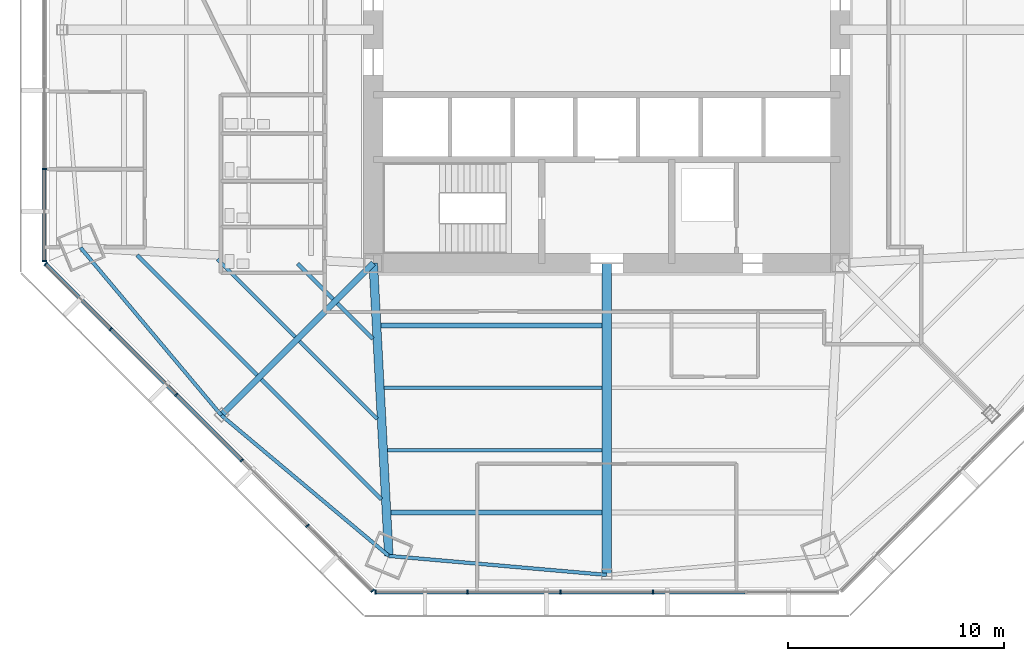
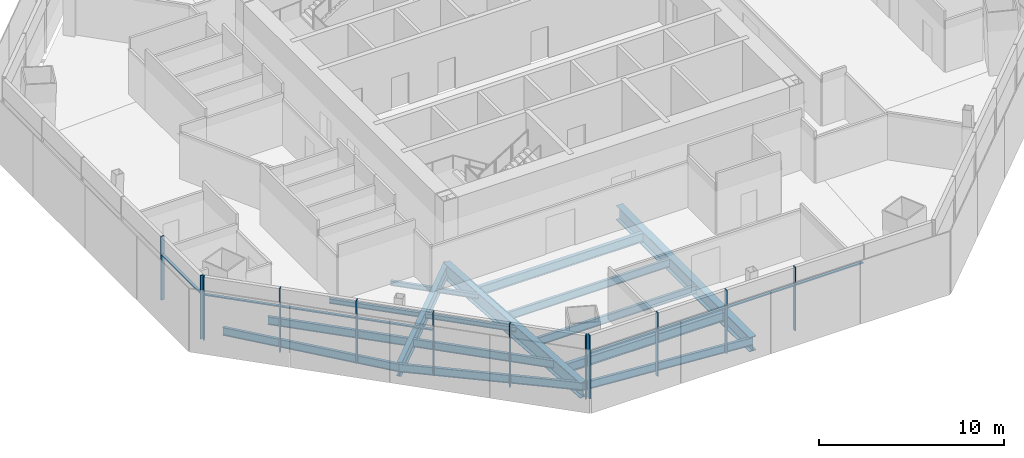
# One storey, part 2 of 15: 20 members, 16 beams, 3 elements without a shape of their own.
"""IFC4 building model written with IfcOpenShell, lengths in metres."""

from ifc_helpers import new_model, si_unit, direction, frame, origin, origin_2d, place, context, subcontext, project, spatial, rectangle, i_section, extrude, source, transform, mapped, material, material_profile, profile_set, type_object, type_shapes, element, aggregate, save


model = new_model("IFC4")

# Units and contexts
model_context = context("Model", 3, precision=1e-05, world=origin(), true_north=direction((0.0, 1.0)))
body_context = subcontext(model_context, "Body", "Model", "MODEL_VIEW")
ifc_project = project(units=[si_unit("LENGTHUNIT", "METRE"), si_unit("AREAUNIT", "SQUARE_METRE"), si_unit("VOLUMEUNIT", "CUBIC_METRE"), si_unit("PLANEANGLEUNIT", "RADIAN"), si_unit("MASSUNIT", "GRAM", prefix="KILO")], contexts=[model_context])

# Site, building, storey
site_placement = place(None, origin())
site = spatial("IfcSite", under=ifc_project, at=site_placement, CompositionType="ELEMENT")
building_placement = place(site_placement, origin())
building = spatial("IfcBuilding", under=site, at=building_placement, Name="Mashrafa Tower", CompositionType="ELEMENT")
storey_placement = place(building_placement, frame((0.0, 0.0, 70.800048828125)))
storey = spatial("IfcBuildingStorey", under=building, at=storey_placement, Name="L15", CompositionType="ELEMENT", Elevation=70.800048828125)

# Beams
ifc_material_1 = material(Name="Steel ASTM A992", Category="steel")
ifc_material_profile_1 = material_profile(ifc_material_1, i_section(OverallWidth=0.164794921875, OverallDepth=0.309814453125, WebThickness=0.005859375, FlangeThickness=0.009765625, FilletRadius=0.007568359375, at=origin_2d()), Name="W12X26")
ifc_profile_set_1 = profile_set([ifc_material_profile_1], Name="Steel ASTM A992")
beam_type_1 = type_object("IfcBeamType", Name="Beam W12X26", PredefinedType="BEAM", material=ifc_profile_set_1)
beam_1_placement = place(storey_placement, frame((-14.418701171875, -14.212158203125, -0.320068359375), z_axis=(-0.707082764653, 0.707130796904, 0.0), x_axis=(-0.707130796904, -0.707082764653, 0.0)))
element("IfcBeam", 1, at=beam_1_placement, inside=storey, type_object=beam_type_1, Name="Floor beam L15 012", PredefinedType="BEAM", context=body_context, shape_type="SweptSolid", body=[
    extrude(i_section(OverallWidth=0.164794921875, OverallDepth=0.309814453125, WebThickness=0.005859375, FlangeThickness=0.009765625, FilletRadius=0.007568359375, at=origin_2d()), origin(), (0.0, 0.0, 1.0), 5.082763671875),
])
for number, where, z_axis, x_axis, name in (
    (2, (-12.660888671875, -12.454345703125, -0.320068359375), (-0.707159434433, 0.707054124019, 0.0), (-0.707054124019, -0.707159434433, 0.0), "Floor beam L15 016"),
    (3, (-10.815185546875, -14.30029296875, -0.320068359375), (-0.707054124019, 0.707159434433, 0.0), (-0.707159434433, -0.707054124019, 0.0), "Floor beam L15 019"),
):
    element("IfcBeam", number, at=place(storey_placement, frame(where, z_axis=z_axis, x_axis=x_axis)), inside=storey, type_object=beam_type_1, Name=name, PredefinedType="BEAM", context=body_context, shape_type="SweptSolid", body=[
        extrude(i_section(OverallWidth=0.164794921875, OverallDepth=0.309814453125, WebThickness=0.005859375, FlangeThickness=0.009765625, FilletRadius=0.007568359375, at=origin_2d()), origin(), (0.0, 0.0, 1.0), 2.318359375),
    ])
beam_2_placement = place(storey_placement, frame((-10.617919921875, -18.0126953125, -0.320068359375), z_axis=(-0.707130796904, 0.707082764653, 0.0), x_axis=(-0.707082764653, -0.707130796904, 0.0)))
element("IfcBeam", 4, at=beam_2_placement, inside=storey, type_object=beam_type_1, Name="Floor beam L15 021", PredefinedType="BEAM", context=body_context, shape_type="SweptSolid", body=[
    extrude(i_section(OverallWidth=0.164794921875, OverallDepth=0.309814453125, WebThickness=0.005859375, FlangeThickness=0.009765625, FilletRadius=0.007568359375, at=origin_2d()), origin(), (0.0, 0.0, 1.0), 5.082763671875),
])
ifc_material_2 = material(Name="Steel ASTM A992", Category="steel")
ifc_material_profile_2 = material_profile(ifc_material_2, i_section(OverallWidth=0.165771484375, OverallDepth=0.5283203125, WebThickness=0.009765625, FlangeThickness=0.013671875, FilletRadius=0.012939453125, at=origin_2d()), Name="W21X50")
ifc_profile_set_2 = profile_set([ifc_material_profile_2], Name="Steel ASTM A992")
beam_type_2 = type_object("IfcBeamType", Name="Beam W21X50", PredefinedType="BEAM", material=ifc_profile_set_2)
for number, where, z_axis, x_axis, name in (
    (5, (-16.176513671875, -15.9697265625, -0.42919921875), (-0.707091224822, 0.707122337209, 0.0), (-0.707122337209, -0.707091224822, 0.0), "Floor beam L15 009"),
    (6, (-10.4208984375, -21.72509765625, -0.42919921875), (-0.707122337209, 0.707091224822, 0.0), (-0.707091224822, -0.707122337209, 0.0), "Floor beam L15 023"),
):
    element("IfcBeam", number, at=place(storey_placement, frame(where, z_axis=z_axis, x_axis=x_axis)), inside=storey, type_object=beam_type_2, Name=name, PredefinedType="BEAM", context=body_context, shape_type="SweptSolid", body=[
        extrude(i_section(OverallWidth=0.165771484375, OverallDepth=0.5283203125, WebThickness=0.009765625, FlangeThickness=0.013671875, FilletRadius=0.012939453125, at=origin_2d()), origin(), (0.0, 0.0, 1.0), 7.84716796875),
    ])
beam_3_placement = place(storey_placement, frame((-0.212158203125, -19.449951171875, -0.42919921875), z_axis=(-1.0, 0.0, 0.0), x_axis=(0.0, -1.0, 0.0)))
element("IfcBeam", 7, at=beam_3_placement, inside=storey, type_object=beam_type_2, Name="Floor beam L15 026", PredefinedType="BEAM", context=body_context, shape_type="SweptSolid", body=[
    extrude(i_section(OverallWidth=0.165771484375, OverallDepth=0.5283203125, WebThickness=0.009765625, FlangeThickness=0.013671875, FilletRadius=0.012939453125, at=origin_2d()), origin(), (0.0, 0.0, 1.0), 9.927734375),
])
beam_4_placement = place(storey_placement, frame((-0.212158203125, -16.566650390625, -0.42919921875), z_axis=(-1.0, 0.0, 0.0), x_axis=(0.0, -1.0, 0.0)))
element("IfcBeam", 8, at=beam_4_placement, inside=storey, type_object=beam_type_2, Name="Floor beam L15 027", PredefinedType="BEAM", context=body_context, shape_type="SweptSolid", body=[
    extrude(i_section(OverallWidth=0.165771484375, OverallDepth=0.5283203125, WebThickness=0.009765625, FlangeThickness=0.013671875, FilletRadius=0.012939453125, at=origin_2d()), origin(), (0.0, 0.0, 1.0), 10.080810546875),
])
for number, where, z_axis, x_axis, name in (
    (9, (-24.33837890625, -10.081298828125, -0.42919921875), (0.643074957552, -0.765803237764, 0.0), (0.765803237764, 0.643074957552, 0.0), "Spandrel beam L15 074"),
    (10, (-17.830810546875, -17.830810546875, -0.42919921875), (0.765803237764, -0.643074957552, 0.0), (0.643074957552, 0.765803237764, 0.0), "Spandrel beam L15 076"),
    (11, (-10.081298828125, -24.33837890625, -0.42919921875), (0.996227450141, -0.086780571481, 0.0), (0.086780571481, 0.996227450141, 0.0), "Spandrel beam L15 078"),
):
    element("IfcBeam", number, at=place(storey_placement, frame(where, z_axis=z_axis, x_axis=x_axis)), inside=storey, type_object=beam_type_2, Name=name, PredefinedType="BEAM", context=body_context, shape_type="SweptSolid", body=[
        extrude(i_section(OverallWidth=0.165771484375, OverallDepth=0.5283203125, WebThickness=0.009765625, FlangeThickness=0.013671875, FilletRadius=0.012939453125, at=origin_2d()), origin(), (0.0, 0.0, 1.0), 10.119384765625),
    ])
ifc_material_3 = material(Name="Steel ASTM A992", Category="steel")
ifc_material_profile_3 = material_profile(ifc_material_3, i_section(OverallWidth=0.227783203125, OverallDepth=0.60205078125, WebThickness=0.010498046875, FlangeThickness=0.014892578125, FilletRadius=0.012939453125, at=origin_2d()), Name="W24X68")
ifc_profile_set_3 = profile_set([ifc_material_profile_3], Name="Steel ASTM A992")
beam_type_3 = type_object("IfcBeamType", Name="Beam W24X68", PredefinedType="BEAM", material=ifc_profile_set_3)
beam_5_placement = place(storey_placement, frame((-0.212158203125, -22.333251953125, -0.466064453125), z_axis=(-1.0, 0.0, 0.0), x_axis=(0.0, -1.0, 0.0)))
element("IfcBeam", 12, at=beam_5_placement, inside=storey, type_object=beam_type_3, Name="Floor beam L15 025", PredefinedType="BEAM", context=body_context, shape_type="SweptSolid", body=[
    extrude(i_section(OverallWidth=0.227783203125, OverallDepth=0.60205078125, WebThickness=0.010498046875, FlangeThickness=0.014892578125, FilletRadius=0.012939453125, at=origin_2d()), origin(), (0.0, 0.0, 1.0), 9.774658203125),
])
beam_6_placement = place(storey_placement, frame((-0.212158203125, -13.683349609375, -0.466064453125), z_axis=(-1.0, 0.0, 0.0), x_axis=(0.0, -1.0, 0.0)))
element("IfcBeam", 13, at=beam_6_placement, inside=storey, type_object=beam_type_3, Name="Floor beam L15 028", PredefinedType="BEAM", context=body_context, shape_type="SweptSolid", body=[
    extrude(i_section(OverallWidth=0.227783203125, OverallDepth=0.60205078125, WebThickness=0.010498046875, FlangeThickness=0.014892578125, FilletRadius=0.012939453125, at=origin_2d()), origin(), (0.0, 0.0, 1.0), 10.23388671875),
])
ifc_material_4 = material(Name="Steel ASTM A992", Category="steel")
ifc_material_profile_4 = material_profile(ifc_material_4, i_section(OverallWidth=0.2919921875, OverallDepth=0.8583984375, WebThickness=0.01708984375, FlangeThickness=0.031005859375, FilletRadius=0.017822265625, at=origin_2d()), Name="W33X169")
ifc_profile_set_4 = profile_set([ifc_material_profile_4], Name="Steel ASTM A992")
beam_type_4 = type_object("IfcBeamType", Name="Beam W33X169", PredefinedType="BEAM", material=ifc_profile_set_4)
beam_7_placement = place(storey_placement, frame((-10.800048828125, -10.800048828125, -0.59423828125), z_axis=(-0.707106781187, -0.707106781187, 0.0), x_axis=(0.707106781187, -0.707106781187, 0.0)))
element("IfcBeam", 14, at=beam_7_placement, inside=storey, type_object=beam_type_4, Name="Radial girder L15 058", PredefinedType="BEAM", context=body_context, shape_type="SweptSolid", body=[
    extrude(i_section(OverallWidth=0.2919921875, OverallDepth=0.8583984375, WebThickness=0.01708984375, FlangeThickness=0.031005859375, FilletRadius=0.017822265625, at=origin_2d()), origin(), (0.0, 0.0, 1.0), 9.943115234375),
])
ifc_material_5 = material(Name="Steel ASTM A992", Category="steel")
ifc_material_profile_5 = material_profile(ifc_material_5, i_section(OverallWidth=0.424072265625, OverallDepth=0.960205078125, WebThickness=0.028564453125, FlangeThickness=0.051025390625, FilletRadius=0.02001953125, at=origin_2d()), Name="W36X361")
ifc_profile_set_5 = profile_set([ifc_material_profile_5], Name="Steel ASTM A992")
beam_type_5 = type_object("IfcBeamType", Name="Beam W36X361", PredefinedType="BEAM", material=ifc_profile_set_5)
beam_8_placement = place(storey_placement, frame((0.0, -10.800048828125, -0.64501953125), z_axis=(0.0, -1.0, 0.0), x_axis=(1.0, 0.0, 0.0)))
element("IfcBeam", 15, at=beam_8_placement, inside=storey, type_object=beam_type_5, Name="Radial girder L15 064", PredefinedType="BEAM", context=body_context, shape_type="SweptSolid", body=[
    extrude(i_section(OverallWidth=0.424072265625, OverallDepth=0.960205078125, WebThickness=0.028564453125, FlangeThickness=0.051025390625, FilletRadius=0.02001953125, at=origin_2d()), origin(), (0.0, 0.0, 1.0), 14.41650390625),
])
ifc_material_6 = material(Name="Steel ASTM A992", Category="steel")
ifc_material_profile_6 = material_profile(ifc_material_6, i_section(OverallWidth=0.4013671875, OverallDepth=1.010986328125, WebThickness=0.023681640625, FlangeThickness=0.0419921875, FilletRadius=0.02001953125, at=origin_2d()), Name="W40X297")
ifc_profile_set_6 = profile_set([ifc_material_profile_6], Name="Steel ASTM A992")
beam_type_6 = type_object("IfcBeamType", Name="Beam W40X297", PredefinedType="BEAM", material=ifc_profile_set_6)
beam_9_placement = place(storey_placement, frame((-10.800048828125, -10.800048828125, -0.67041015625), z_axis=(0.05301534356, -0.998593697831, 0.0), x_axis=(0.998593697831, 0.05301534356, 0.0)))
element("IfcBeam", 16, at=beam_9_placement, inside=storey, type_object=beam_type_6, Name="Radial girder L15 059", PredefinedType="BEAM", context=body_context, shape_type="SweptSolid", body=[
    extrude(i_section(OverallWidth=0.4013671875, OverallDepth=1.010986328125, WebThickness=0.023681640625, FlangeThickness=0.0419921875, FilletRadius=0.02001953125, at=origin_2d()), origin(), (0.0, 0.0, 1.0), 13.557373046875),
])

# Curtain wall, members
ifc_material_7 = material(Name="Unitised aluminium curtain wall", Category="aluminium")
curtain_wall_type = type_object("IfcCurtainWallType", Name="Office curtain wall, zone 1 CW-A 200 deep", PredefinedType="NOTDEFINED", material=ifc_material_7)
curtain_wall_1_placement = place(storey_placement, origin())
curtain_wall_1 = element("IfcCurtainWall", 17, at=curtain_wall_1_placement, inside=storey, type_object=curtain_wall_type, Name="Office curtain wall, zone 1 L15 west", PredefinedType="NOTDEFINED")
ifc_material_8 = material(Name="Extruded aluminium mullion", Category="aluminium")
ifc_material_profile_7 = material_profile(ifc_material_8, rectangle(XDim=0.199951171875, YDim=0.06494140625, at=origin_2d()), Name="Mullion 65x200")
ifc_profile_set_7 = profile_set([ifc_material_profile_7], Name="Extruded aluminium mullion")
member_type_1 = type_object("IfcMemberType", Name="Mullion CW-A 65 x 200", PredefinedType="MULLION", material=ifc_profile_set_7)
shared_shape_1 = source(origin(), body_context, "Body", "SweptSolid", [
    extrude(rectangle(XDim=0.199951171875, YDim=0.06494140625, at=origin_2d()), origin(), (0.0, 0.0, 1.0), 4.199951171875),
])
type_shapes(member_type_1, [shared_shape_1])
member_1_placement = place(storey_placement, frame((-26.011962890625, -6.433837890625, 0.0), z_axis=(0.0, 0.0, 1.0), x_axis=(1.0, 0.0, 0.0)))
member_1 = element("IfcMember", 18, at=member_1_placement, type_object=member_type_1, Name="CW-A mullion 5", PredefinedType="MULLION", context=body_context, shape_type="MappedRepresentation", body=[
    mapped(shared_shape_1, transform((0.0, 0.0, 0.0))),
])
member_2_placement = place(storey_placement, frame((-26.011962890625, -10.690673828125, 0.0), z_axis=(0.0, 0.0, 1.0), x_axis=(1.0, 0.0, 0.0)))
member_2 = element("IfcMember", 19, at=member_2_placement, type_object=member_type_1, Name="CW-A mullion 6", PredefinedType="MULLION", context=body_context, shape_type="MappedRepresentation", body=[
    mapped(shared_shape_1, transform((0.0, 0.0, 0.0))),
])

curtain_wall_2_placement = place(storey_placement, origin())
curtain_wall_2 = element("IfcCurtainWall", 20, at=curtain_wall_2_placement, inside=storey, type_object=curtain_wall_type, Name="Office curtain wall, zone 1 L15 south-west", PredefinedType="NOTDEFINED")
member_3_placement = place(storey_placement, frame((-25.95263671875, -10.833740234375, 0.0), z_axis=(0.0, 0.0, 1.0), x_axis=(0.707106781187, 0.707106781187, 0.0)))
member_3 = element("IfcMember", 21, at=member_3_placement, type_object=member_type_1, Name="CW-A mullion 1", PredefinedType="MULLION", context=body_context, shape_type="MappedRepresentation", body=[
    mapped(shared_shape_1, transform((0.0, 0.0, 0.0))),
])
member_4_placement = place(storey_placement, frame((-22.942626953125, -13.84375, 0.0), z_axis=(0.0, 0.0, 1.0), x_axis=(0.707106781187, 0.707106781187, 0.0)))
member_4 = element("IfcMember", 22, at=member_4_placement, type_object=member_type_1, Name="CW-A mullion 2", PredefinedType="MULLION", context=body_context, shape_type="MappedRepresentation", body=[
    mapped(shared_shape_1, transform((0.0, 0.0, 0.0))),
])
member_5_placement = place(storey_placement, frame((-19.90966796875, -16.876708984375, 0.0), z_axis=(0.0, 0.0, 1.0), x_axis=(0.707106781187, 0.707106781187, 0.0)))
member_5 = element("IfcMember", 23, at=member_5_placement, type_object=member_type_1, Name="CW-A mullion 3", PredefinedType="MULLION", context=body_context, shape_type="MappedRepresentation", body=[
    mapped(shared_shape_1, transform((0.0, 0.0, 0.0))),
])
member_6_placement = place(storey_placement, frame((-16.876708984375, -19.90966796875, 0.0), z_axis=(0.0, 0.0, 1.0), x_axis=(0.707106781187, 0.707106781187, 0.0)))
member_6 = element("IfcMember", 24, at=member_6_placement, type_object=member_type_1, Name="CW-A mullion 4", PredefinedType="MULLION", context=body_context, shape_type="MappedRepresentation", body=[
    mapped(shared_shape_1, transform((0.0, 0.0, 0.0))),
])
member_7_placement = place(storey_placement, frame((-13.84375, -22.942626953125, 0.0), z_axis=(0.0, 0.0, 1.0), x_axis=(0.707106781187, 0.707106781187, 0.0)))
member_7 = element("IfcMember", 25, at=member_7_placement, type_object=member_type_1, Name="CW-A mullion 5", PredefinedType="MULLION", context=body_context, shape_type="MappedRepresentation", body=[
    mapped(shared_shape_1, transform((0.0, 0.0, 0.0))),
])
member_8_placement = place(storey_placement, frame((-10.833740234375, -25.95263671875, 0.0), z_axis=(0.0, 0.0, 1.0), x_axis=(0.707106781187, 0.707106781187, 0.0)))
member_8 = element("IfcMember", 26, at=member_8_placement, type_object=member_type_1, Name="CW-A mullion 6", PredefinedType="MULLION", context=body_context, shape_type="MappedRepresentation", body=[
    mapped(shared_shape_1, transform((0.0, 0.0, 0.0))),
])

curtain_wall_3_placement = place(storey_placement, origin())
curtain_wall_3 = element("IfcCurtainWall", 27, at=curtain_wall_3_placement, inside=storey, type_object=curtain_wall_type, Name="Office curtain wall, zone 1 L15 south", PredefinedType="NOTDEFINED")
member_9_placement = place(storey_placement, frame((-10.690673828125, -26.011962890625, 0.0), z_axis=(0.0, 0.0, 1.0), x_axis=(0.0, 1.0, 0.0)))
member_9 = element("IfcMember", 28, at=member_9_placement, type_object=member_type_1, Name="CW-A mullion 1", PredefinedType="MULLION", context=body_context, shape_type="MappedRepresentation", body=[
    mapped(shared_shape_1, transform((0.0, 0.0, 0.0))),
])
member_10_placement = place(storey_placement, frame((-6.433837890625, -26.011962890625, 0.0), z_axis=(0.0, 0.0, 1.0), x_axis=(0.0, 1.0, 0.0)))
member_10 = element("IfcMember", 29, at=member_10_placement, type_object=member_type_1, Name="CW-A mullion 2", PredefinedType="MULLION", context=body_context, shape_type="MappedRepresentation", body=[
    mapped(shared_shape_1, transform((0.0, 0.0, 0.0))),
])
member_11_placement = place(storey_placement, frame((-2.14453125, -26.011962890625, 0.0), z_axis=(0.0, 0.0, 1.0), x_axis=(0.0, 1.0, 0.0)))
member_11 = element("IfcMember", 30, at=member_11_placement, type_object=member_type_1, Name="CW-A mullion 3", PredefinedType="MULLION", context=body_context, shape_type="MappedRepresentation", body=[
    mapped(shared_shape_1, transform((0.0, 0.0, 0.0))),
])
member_12_placement = place(storey_placement, frame((2.14453125, -26.011962890625, 0.0), z_axis=(0.0, 0.0, 1.0), x_axis=(0.0, 1.0, 0.0)))
member_12 = element("IfcMember", 31, at=member_12_placement, type_object=member_type_1, Name="CW-A mullion 4", PredefinedType="MULLION", context=body_context, shape_type="MappedRepresentation", body=[
    mapped(shared_shape_1, transform((0.0, 0.0, 0.0))),
])

# Member
ifc_material_9 = material(Name="Extruded aluminium transom", Category="aluminium")
ifc_material_profile_8 = material_profile(ifc_material_9, rectangle(XDim=0.159912109375, YDim=0.080078125, at=origin_2d()), Name="Transom 80x160")
ifc_profile_set_8 = profile_set([ifc_material_profile_8], Name="Extruded aluminium transom")
member_type_2 = type_object("IfcMemberType", Name="Transom CW-A 80 x 160", PredefinedType="MULLION", material=ifc_profile_set_8)
shared_shape_2 = source(origin(), body_context, "Body", "SweptSolid", [
    extrude(rectangle(XDim=0.159912109375, YDim=0.080078125, at=origin_2d()), origin(), (0.0, 0.0, 1.0), 4.191650390625),
])
member_13_placement = place(storey_placement, frame((-26.011962890625, -6.46630859375, 3.0), z_axis=(0.0, -1.0, 0.0), x_axis=(1.0, 0.0, 0.0)))
member_13 = element("IfcMember", 32, at=member_13_placement, type_object=member_type_2, Name="CW-A transom 5", PredefinedType="MULLION", context=body_context, shape_type="MappedRepresentation", body=[
    mapped(shared_shape_2, transform((0.0, 0.0, 0.0))),
])

aggregate(curtain_wall_1, [member_1, member_2, member_13])

member_14_placement = place(storey_placement, frame((-25.929443359375, -10.856689453125, 3.0), z_axis=(0.707077658772, -0.707135902401, 0.0), x_axis=(0.707135902401, 0.707077658772, 0.0)))
member_14 = element("IfcMember", 33, at=member_14_placement, type_object=member_type_2, Name="CW-A transom 1", PredefinedType="MULLION", context=body_context, shape_type="MappedRepresentation", body=[
    mapped(shared_shape_2, transform((0.0, 0.0, 0.0))),
])

member_15_placement = place(storey_placement, frame((-10.657958984375, -26.011962890625, 3.0), z_axis=(1.0, 0.0, 0.0), x_axis=(0.0, 1.0, 0.0)))
member_15 = element("IfcMember", 34, at=member_15_placement, type_object=member_type_2, Name="CW-A transom 1", PredefinedType="MULLION", context=body_context, shape_type="MappedRepresentation", body=[
    mapped(shared_shape_2, transform((0.0, 0.0, 0.0))),
])

shared_shape_3 = source(origin(), body_context, "Body", "SweptSolid", [
    extrude(rectangle(XDim=0.159912109375, YDim=0.080078125, at=origin_2d()), origin(), (0.0, 0.0, 1.0), 4.224365234375),
])
member_16_placement = place(storey_placement, frame((-22.919677734375, -13.86669921875, 3.0), z_axis=(0.707106781187, -0.707106781187, 0.0), x_axis=(0.707106781187, 0.707106781187, 0.0)))
member_16 = element("IfcMember", 35, at=member_16_placement, type_object=member_type_2, Name="CW-A transom 2", PredefinedType="MULLION", context=body_context, shape_type="MappedRepresentation", body=[
    mapped(shared_shape_3, transform((0.0, 0.0, 0.0))),
])

member_17_placement = place(storey_placement, frame((-19.88671875, -16.899658203125, 3.0), z_axis=(0.707106781187, -0.707106781187, 0.0), x_axis=(0.707106781187, 0.707106781187, 0.0)))
member_17 = element("IfcMember", 36, at=member_17_placement, type_object=member_type_2, Name="CW-A transom 3", PredefinedType="MULLION", context=body_context, shape_type="MappedRepresentation", body=[
    mapped(shared_shape_3, transform((0.0, 0.0, 0.0))),
])

aggregate(curtain_wall_2, [member_3, member_4, member_5, member_6, member_7, member_8, member_14, member_16, member_17])

member_18_placement = place(storey_placement, frame((-6.4013671875, -26.011962890625, 3.0), z_axis=(1.0, 0.0, 0.0), x_axis=(0.0, 1.0, 0.0)))
member_18 = element("IfcMember", 37, at=member_18_placement, type_object=member_type_2, Name="CW-A transom 2", PredefinedType="MULLION", context=body_context, shape_type="MappedRepresentation", body=[
    mapped(shared_shape_3, transform((0.0, 0.0, 0.0))),
])

member_19_placement = place(storey_placement, frame((2.177001953125, -26.011962890625, 3.0), z_axis=(1.0, 0.0, 0.0), x_axis=(0.0, 1.0, 0.0)))
member_19 = element("IfcMember", 38, at=member_19_placement, type_object=member_type_2, Name="CW-A transom 4", PredefinedType="MULLION", context=body_context, shape_type="MappedRepresentation", body=[
    mapped(shared_shape_3, transform((0.0, 0.0, 0.0))),
])

shared_shape_4 = source(origin(), body_context, "Body", "SweptSolid", [
    extrude(rectangle(XDim=0.159912109375, YDim=0.080078125, at=origin_2d()), origin(), (0.0, 0.0, 1.0), 4.22412109375),
])
type_shapes(member_type_2, [shared_shape_2, shared_shape_3, shared_shape_4])
member_20_placement = place(storey_placement, frame((-2.112060546875, -26.011962890625, 3.0), z_axis=(1.0, 0.0, 0.0), x_axis=(0.0, 1.0, 0.0)))
member_20 = element("IfcMember", 39, at=member_20_placement, type_object=member_type_2, Name="CW-A transom 3", PredefinedType="MULLION", context=body_context, shape_type="MappedRepresentation", body=[
    mapped(shared_shape_4, transform((0.0, 0.0, 0.0))),
])

aggregate(curtain_wall_3, [member_9, member_10, member_11, member_12, member_15, member_18, member_20, member_19])

save(model, "model.ifc")
